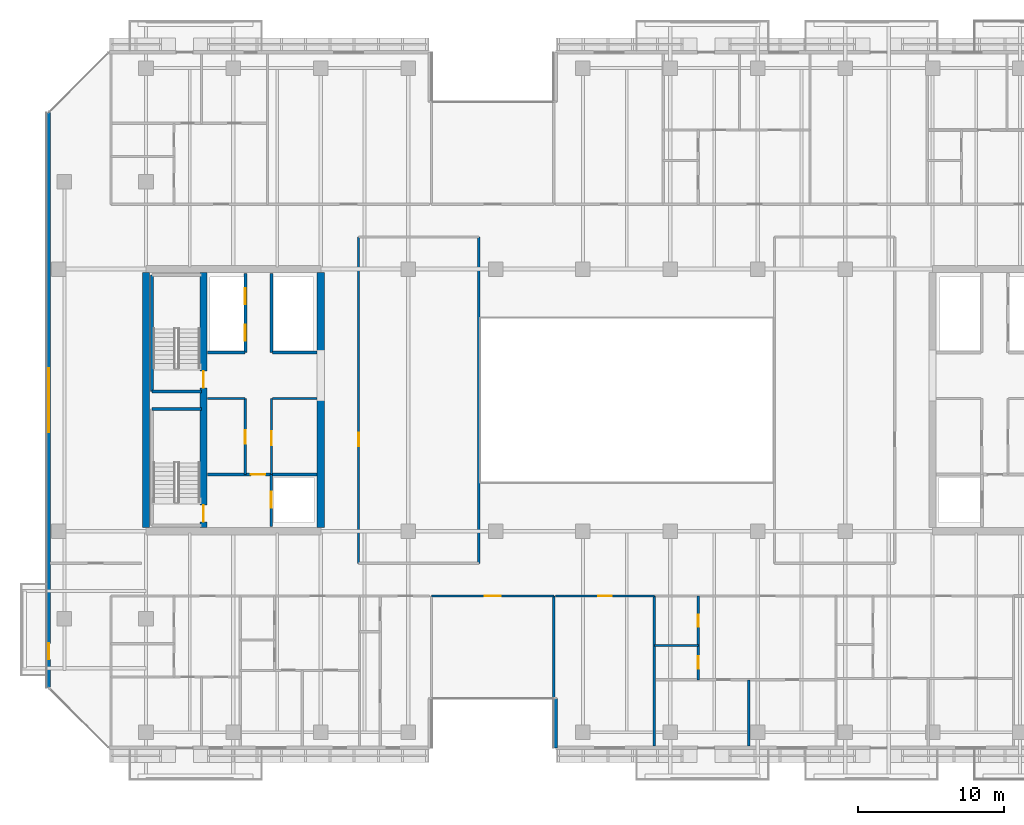
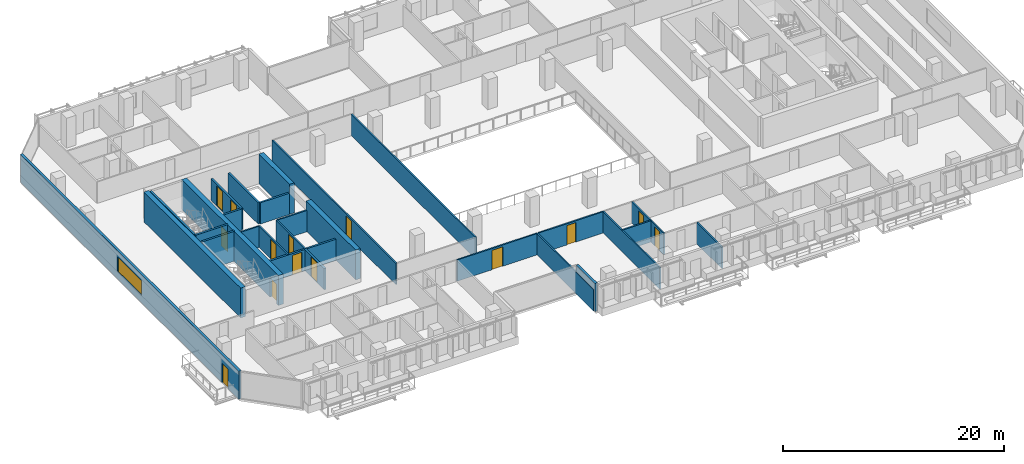
# One storey, part 22 of 33: 28 walls, 14 doors, 1 window, 15 openings.
"""IFC4 building model written with IfcOpenShell, lengths in metres."""

from ifc_helpers import new_model, si_unit, direction, frame, frame_2d, origin, place, context, subcontext, project, spatial, rectangle, extrude, material, layer, layer_set, type_object, element, fill, save


model = new_model("IFC4")

# Units and contexts
model_context = context("Model", 3, precision=1e-05, world=origin(), true_north=direction((0.0, 1.0)))
body_context = subcontext(model_context, "Body", "Model", "MODEL_VIEW")
ifc_project = project(units=[si_unit("LENGTHUNIT", "METRE"), si_unit("AREAUNIT", "SQUARE_METRE"), si_unit("VOLUMEUNIT", "CUBIC_METRE"), si_unit("PLANEANGLEUNIT", "RADIAN"), si_unit("MASSUNIT", "GRAM", prefix="KILO")], contexts=[model_context])

# Site, building, storey
site_placement = place(None, origin())
site = spatial("IfcSite", under=ifc_project, at=site_placement, CompositionType="ELEMENT")
building_placement = place(site_placement, origin())
building = spatial("IfcBuilding", under=site, at=building_placement, Name="Tanjung Sevakor Pilgrim Tower", CompositionType="ELEMENT")
storey_placement = place(building_placement, frame((0.0, 0.0, 95.3701171875)))
storey = spatial("IfcBuildingStorey", under=building, at=storey_placement, Name="L26", CompositionType="ELEMENT", Elevation=95.3701171875)

# Walls
ifc_material_1 = material(Name="Concrete C60/75", Category="concrete")
ifc_layer_1 = layer(ifc_material_1, 0.5)
ifc_layer_set_1 = layer_set([ifc_layer_1], Name="WALL-CW-500")
wall_type_1 = type_object("IfcWallType", Name="WALL-CW-500", PredefinedType="SHEAR", material=ifc_layer_set_1)
wall_1_placement = place(storey_placement, frame((24.0, 24.85009765625, 0.0), z_axis=(0.0, 0.0, 1.0), x_axis=(0.0, 1.0, 0.0)))
element("IfcWall", 1, at=wall_1_placement, inside=storey, type_object=wall_type_1, Name="L26 W Core Outer Shear Wall", PredefinedType="SHEAR", context=body_context, shape_type="SweptSolid", body=[
    extrude(rectangle(XDim=17.5, YDim=0.5, at=frame_2d((8.75, 0.0))), origin(), (0.0, 0.0, 1.0), 3.2998046875),
])
wall_2_placement = place(storey_placement, frame((36.0, 24.85009765625, 0.0), z_axis=(0.0, 0.0, 1.0), x_axis=(0.0, 1.0, 0.0)))
element("IfcWall", 2, at=wall_2_placement, inside=storey, type_object=wall_type_1, Name="L26 W Core Inner Shear Wall South", PredefinedType="SHEAR", context=body_context, shape_type="SweptSolid", body=[
    extrude(rectangle(XDim=8.949951171875, YDim=0.5, at=frame_2d((4.47509765625, 0.0))), origin(), (0.0, 0.0, 1.0), 3.2998046875),
])
wall_3_placement = place(storey_placement, frame((36.0, 36.800048828125, 0.0), z_axis=(0.0, 0.0, 1.0), x_axis=(0.0, 1.0, 0.0)))
element("IfcWall", 3, at=wall_3_placement, inside=storey, type_object=wall_type_1, Name="L26 W Core Inner Shear Wall North", PredefinedType="SHEAR", context=body_context, shape_type="SweptSolid", body=[
    extrude(rectangle(XDim=5.550048828125, YDim=0.5, at=frame_2d((2.77490234375, 0.0))), origin(), (0.0, 0.0, 1.0), 3.2998046875),
])

# Wall, openings, doors
wall_4_placement = place(storey_placement, frame((27.949951171875, 24.85009765625, 0.0), z_axis=(0.0, 0.0, 1.0), x_axis=(0.0, 1.0, 0.0)))
wall_4 = element("IfcWall", 4, at=wall_4_placement, inside=storey, type_object=wall_type_1, Name="L26 W Core Stair Spine Wall", PredefinedType="SHEAR", context=body_context, shape_type="SweptSolid", body=[
    extrude(rectangle(XDim=17.5, YDim=0.5, at=frame_2d((8.75, 0.0))), origin(), (0.0, 0.0, 1.0), 3.2998046875),
])
opening_1_placement = place(wall_4_placement, frame((0.39990234375, 0.0, 0.0)))
opening_1 = element("IfcOpeningElement", 5, at=opening_1_placement, cuts=wall_4, Name="Opening ID-ST1", PredefinedType="OPENING", context=body_context, shape_type="SweptSolid", body=[
    extrude(rectangle(XDim=1.14990234375, YDim=2.14990234375, at=frame_2d((0.574951171875, 1.074951171875))), frame((0.0, 0.260009765625, 0.0), z_axis=(0.0, -1.0, 0.0), x_axis=(1.0, 0.0, 0.0)), (0.0, 0.0, 1.0), 0.52001953125),
])
opening_2_placement = place(wall_4_placement, frame((9.60009765625, 0.0, 0.0)))
opening_2 = element("IfcOpeningElement", 6, at=opening_2_placement, cuts=wall_4, Name="Opening ID-ST1", PredefinedType="OPENING", context=body_context, shape_type="SweptSolid", body=[
    extrude(rectangle(XDim=1.14990234375, YDim=2.14990234375, at=frame_2d((0.574951171875, 1.074951171875))), frame((0.0, 0.260009765625, 0.0), z_axis=(0.0, -1.0, 0.0), x_axis=(1.0, 0.0, 0.0)), (0.0, 0.0, 1.0), 0.52001953125),
])
ifc_material_2 = material(Name="Fire-Rated Steel S355J2", Category="steel")
door_type_1 = type_object("IfcDoorType", Name="DT-FIRE-1150", OperationType="NOTDEFINED", PredefinedType="DOOR", material=ifc_material_2)
door_1_placement = place(opening_1_placement, origin())
door_1 = element("IfcDoor", 7, at=door_1_placement, inside=storey, type_object=door_type_1, Name="L26 TS-W1 Stair Fire Door", OperationType="SINGLE_SWING_LEFT", OverallHeight=2.14990234375, OverallWidth=1.14990234375, PredefinedType="DOOR", context=body_context, shape_type="SweptSolid", body=[
    extrude(rectangle(XDim=1.14990234375, YDim=2.14990234375, at=frame_2d((0.574951171875, 1.074951171875))), frame((0.0, 0.02490234375, 0.0), z_axis=(0.0, -1.0, 0.0), x_axis=(1.0, 0.0, 0.0)), (0.0, 0.0, 1.0), 0.050048828125),
])
fill(opening_1, door_1)
door_2_placement = place(opening_2_placement, origin())
door_2 = element("IfcDoor", 8, at=door_2_placement, inside=storey, type_object=door_type_1, Name="L26 TS-W2 Stair Fire Door", OperationType="SINGLE_SWING_RIGHT", OverallHeight=2.14990234375, OverallWidth=1.14990234375, PredefinedType="DOOR", context=body_context, shape_type="SweptSolid", body=[
    extrude(rectangle(XDim=1.14990234375, YDim=2.14990234375, at=frame_2d((0.574951171875, 1.074951171875))), frame((0.0, 0.02490234375, 0.0), z_axis=(0.0, -1.0, 0.0), x_axis=(1.0, 0.0, 0.0)), (0.0, 0.0, 1.0), 0.050048828125),
])
fill(opening_2, door_2)

# Wall
ifc_material_3 = material(Name="Concrete C40/50", Category="concrete")
ifc_layer_2 = layer(ifc_material_3, 0.14990234375)
ifc_layer_set_2 = layer_set([ifc_layer_2], Name="WT-COMP-150")
wall_type_2 = type_object("IfcWallType", Name="WT-COMP-150", PredefinedType="SOLIDWALL", material=ifc_layer_set_2)
wall_5_placement = place(storey_placement, frame((28.219970703125, 33.719970703125, 0.0), z_axis=(0.0, 0.0, 1.0), x_axis=(1.0, 0.0, 0.0)))
element("IfcWall", 9, at=wall_5_placement, inside=storey, type_object=wall_type_2, Name="L26 Partition IW-L26-003", PredefinedType="SOLIDWALL", context=body_context, shape_type="SweptSolid", body=[
    extrude(rectangle(XDim=2.580078125, YDim=0.14990234375, at=frame_2d((1.2900390625, 0.0))), origin(), (0.0, 0.0, 1.0), 2.35009765625),
])

# Wall, opening, door
wall_6_placement = place(storey_placement, frame((30.820068359375, 28.5, 0.0), z_axis=(0.0, 0.0, 1.0), x_axis=(0.0, 1.0, 0.0)))
wall_6 = element("IfcWall", 10, at=wall_6_placement, inside=storey, type_object=wall_type_2, Name="L26 Partition IW-L26-004", PredefinedType="SOLIDWALL", context=body_context, shape_type="SweptSolid", body=[
    extrude(rectangle(XDim=5.219970703125, YDim=0.14990234375, at=frame_2d((2.60986328125, 0.0))), origin(), (0.0, 0.0, 1.0), 2.35009765625),
])
opening_3_placement = place(wall_6_placement, frame((2.10009765625, 0.0, 0.0)))
opening_3 = element("IfcOpeningElement", 11, at=opening_3_placement, cuts=wall_6, Name="Opening ID-FD2", PredefinedType="OPENING", context=body_context, shape_type="SweptSolid", body=[
    extrude(rectangle(XDim=0.949951171875, YDim=2.14990234375, at=frame_2d((0.47509765625, 1.074951171875))), frame((0.0, 0.0849609375, 0.0), z_axis=(0.0, -1.0, 0.0), x_axis=(1.0, 0.0, 0.0)), (0.0, 0.0, 1.0), 0.169921875),
])
ifc_material_4 = material(Name="Fire-Rated Timber", Category="wood")
door_type_2 = type_object("IfcDoorType", Name="DT-FIRE-950", OperationType="NOTDEFINED", PredefinedType="DOOR", material=ifc_material_4)
door_3_placement = place(opening_3_placement, origin())
door_3 = element("IfcDoor", 12, at=door_3_placement, inside=storey, type_object=door_type_2, Name="L26 Housekeeping Pantry Door", OperationType="SINGLE_SWING_RIGHT", OverallHeight=2.14990234375, OverallWidth=0.949951171875, PredefinedType="DOOR", context=body_context, shape_type="SweptSolid", body=[
    extrude(rectangle(XDim=0.949951171875, YDim=2.14990234375, at=frame_2d((0.47509765625, 1.074951171875))), frame((0.0, 0.02490234375, 0.0), z_axis=(0.0, -1.0, 0.0), x_axis=(1.0, 0.0, 0.0)), (0.0, 0.0, 1.0), 0.050048828125),
])
fill(opening_3, door_3)

# Wall
wall_7_placement = place(storey_placement, frame((32.679931640625, 33.719970703125, 0.0), z_axis=(0.0, 0.0, 1.0), x_axis=(1.0, 0.0, 0.0)))
element("IfcWall", 13, at=wall_7_placement, inside=storey, type_object=wall_type_2, Name="L26 Partition IW-L26-005", PredefinedType="SOLIDWALL", context=body_context, shape_type="SweptSolid", body=[
    extrude(rectangle(XDim=3.050048828125, YDim=0.14990234375, at=frame_2d((1.52490234375, 0.0))), origin(), (0.0, 0.0, 1.0), 2.35009765625),
])

# Wall, opening, door
wall_8_placement = place(storey_placement, frame((32.6201171875, 28.5, 0.0), z_axis=(0.0, 0.0, 1.0), x_axis=(0.0, 1.0, 0.0)))
wall_8 = element("IfcWall", 14, at=wall_8_placement, inside=storey, type_object=wall_type_2, Name="L26 Partition IW-L26-006", PredefinedType="SOLIDWALL", context=body_context, shape_type="SweptSolid", body=[
    extrude(rectangle(XDim=5.219970703125, YDim=0.14990234375, at=frame_2d((2.60986328125, 0.0))), origin(), (0.0, 0.0, 1.0), 2.35009765625),
])
opening_4_placement = place(wall_8_placement, frame((2.0, 0.0, 0.0)))
opening_4 = element("IfcOpeningElement", 15, at=opening_4_placement, cuts=wall_8, Name="Opening ID-FD2", PredefinedType="OPENING", context=body_context, shape_type="SweptSolid", body=[
    extrude(rectangle(XDim=0.949951171875, YDim=2.14990234375, at=frame_2d((0.47509765625, 1.074951171875))), frame((0.0, 0.0849609375, 0.0), z_axis=(0.0, -1.0, 0.0), x_axis=(1.0, 0.0, 0.0)), (0.0, 0.0, 1.0), 0.169921875),
])
door_4_placement = place(opening_4_placement, origin())
door_4 = element("IfcDoor", 16, at=door_4_placement, inside=storey, type_object=door_type_2, Name="L26 Accessible WC Door", OperationType="SINGLE_SWING_LEFT", OverallHeight=2.14990234375, OverallWidth=0.949951171875, PredefinedType="DOOR", context=body_context, shape_type="SweptSolid", body=[
    extrude(rectangle(XDim=0.949951171875, YDim=2.14990234375, at=frame_2d((0.47509765625, 1.074951171875))), frame((0.0, 0.02490234375, 0.0), z_axis=(0.0, -1.0, 0.0), x_axis=(1.0, 0.0, 0.0)), (0.0, 0.0, 1.0), 0.050048828125),
])
fill(opening_4, door_4)

wall_9_placement = place(storey_placement, frame((38.60009765625, 22.39990234375, 0.0), z_axis=(0.0, 0.0, 1.0), x_axis=(0.0, 1.0, 0.0)))
wall_9 = element("IfcWall", 17, at=wall_9_placement, inside=storey, type_object=wall_type_2, Name="L26 Partition IW-L26-023", PredefinedType="SOLIDWALL", context=body_context, shape_type="SweptSolid", body=[
    extrude(rectangle(XDim=22.400146484375, YDim=0.14990234375, at=frame_2d((11.2001953125, 0.0))), origin(), (0.0, 0.0, 1.0), 2.35009765625),
])
opening_5_placement = place(wall_9_placement, frame((8.02490234375, 0.0, 0.0)))
opening_5 = element("IfcOpeningElement", 18, at=opening_5_placement, cuts=wall_9, Name="Opening ID-RM1", PredefinedType="OPENING", context=body_context, shape_type="SweptSolid", body=[
    extrude(rectangle(XDim=0.949951171875, YDim=2.14990234375, at=frame_2d((0.47509765625, 1.074951171875))), frame((0.0, 0.0849609375, 0.0), z_axis=(0.0, -1.0, 0.0), x_axis=(1.0, 0.0, 0.0)), (0.0, 0.0, 1.0), 0.169921875),
])
ifc_material_5 = material(Name="Hardwood Timber", Category="wood")
door_type_3 = type_object("IfcDoorType", Name="DT-INT-950", OperationType="NOTDEFINED", PredefinedType="DOOR", material=ifc_material_5)
door_5_placement = place(opening_5_placement, origin())
door_5 = element("IfcDoor", 19, at=door_5_placement, inside=storey, type_object=door_type_3, Name="L26 Central West Room Door", OperationType="SINGLE_SWING_RIGHT", OverallHeight=2.14990234375, OverallWidth=0.949951171875, PredefinedType="DOOR", context=body_context, shape_type="SweptSolid", body=[
    extrude(rectangle(XDim=0.949951171875, YDim=2.14990234375, at=frame_2d((0.47509765625, 1.074951171875))), frame((0.0, 0.02490234375, 0.0), z_axis=(0.0, -1.0, 0.0), x_axis=(1.0, 0.0, 0.0)), (0.0, 0.0, 1.0), 0.050048828125),
])
fill(opening_5, door_5)

# Wall
wall_10_placement = place(storey_placement, frame((46.85009765625, 22.39990234375, 0.0), z_axis=(0.0, 0.0, 1.0), x_axis=(0.0, 1.0, 0.0)))
element("IfcWall", 20, at=wall_10_placement, inside=storey, type_object=wall_type_2, Name="L26 Partition IW-L26-024", PredefinedType="SOLIDWALL", context=body_context, shape_type="SweptSolid", body=[
    extrude(rectangle(XDim=22.400146484375, YDim=0.14990234375, at=frame_2d((11.2001953125, 0.0))), origin(), (0.0, 0.0, 1.0), 2.35009765625),
])

# Wall, opening, door
wall_11_placement = place(storey_placement, frame((43.60009765625, 20.14990234375, 0.0), z_axis=(0.0, 0.0, 1.0), x_axis=(1.0, 0.0, 0.0)))
wall_11 = element("IfcWall", 21, at=wall_11_placement, inside=storey, type_object=wall_type_2, Name="L26 Partition IW-L26-037", PredefinedType="SOLIDWALL", context=body_context, shape_type="SweptSolid", body=[
    extrude(rectangle(XDim=8.39990234375, YDim=0.14990234375, at=frame_2d((4.199951171875, 0.0))), origin(), (0.0, 0.0, 1.0), 2.35009765625),
])
opening_6_placement = place(wall_11_placement, frame((3.64990234375, 0.0, 0.0)))
opening_6 = element("IfcOpeningElement", 22, at=opening_6_placement, cuts=wall_11, Name="Opening ID-RM2", PredefinedType="OPENING", context=body_context, shape_type="SweptSolid", body=[
    extrude(rectangle(XDim=1.10009765625, YDim=2.14990234375, at=frame_2d((0.550048828125, 1.074951171875))), frame((0.0, 0.0849609375, 0.0), z_axis=(0.0, -1.0, 0.0), x_axis=(1.0, 0.0, 0.0)), (0.0, 0.0, 1.0), 0.169921875),
])
ifc_material_6 = material(Name="Hardwood Timber", Category="wood")
door_type_4 = type_object("IfcDoorType", Name="DT-INT-1100", OperationType="NOTDEFINED", PredefinedType="DOOR", material=ifc_material_6)
door_6_placement = place(opening_6_placement, origin())
door_6 = element("IfcDoor", 23, at=door_6_placement, inside=storey, type_object=door_type_4, Name="L26 South Cleft Observatory Door", OperationType="SINGLE_SWING_RIGHT", OverallHeight=2.14990234375, OverallWidth=1.10009765625, PredefinedType="DOOR", context=body_context, shape_type="SweptSolid", body=[
    extrude(rectangle(XDim=1.10009765625, YDim=2.14990234375, at=frame_2d((0.550048828125, 1.074951171875))), frame((0.0, 0.02490234375, 0.0), z_axis=(0.0, -1.0, 0.0), x_axis=(1.0, 0.0, 0.0)), (0.0, 0.0, 1.0), 0.050048828125),
])
fill(opening_6, door_6)

# Walls
for number, where, z_axis, x_axis, name in (
    (24, (52.0, 9.85009765625, 0.0), (0.0, 0.0, 1.0), (0.0, 1.0, 0.0), "L26 Partition IW-L26-039"),
    (25, (58.895751953125, 9.85009765625, 0.0), (0.0, 0.0, 1.0), (0.0, 1.0, 0.0), "L26 Partition IW-L26-060"),
):
    element("IfcWall", number, at=place(storey_placement, frame(where, z_axis=z_axis, x_axis=x_axis)), inside=storey, type_object=wall_type_2, Name=name, PredefinedType="SOLIDWALL", context=body_context, shape_type="SweptSolid", body=[
        extrude(rectangle(XDim=10.2998046875, YDim=0.14990234375, at=frame_2d((5.14990234375, 0.0))), origin(), (0.0, 0.0, 1.0), 2.35009765625),
    ])

# Wall, opening, door
wall_12_placement = place(storey_placement, frame((52.1201171875, 20.14990234375, 0.0), z_axis=(0.0, 0.0, 1.0), x_axis=(1.0, 0.0, 0.0)))
wall_12 = element("IfcWall", 26, at=wall_12_placement, inside=storey, type_object=wall_type_2, Name="L26 Partition IW-L26-061", PredefinedType="SOLIDWALL", context=body_context, shape_type="SweptSolid", body=[
    extrude(rectangle(XDim=6.775634765625, YDim=0.14990234375, at=frame_2d((3.3876953125, 0.0))), origin(), (0.0, 0.0, 1.0), 2.35009765625),
])
opening_7_placement = place(wall_12_placement, frame((2.912841796875, 0.0, 0.0)))
opening_7 = element("IfcOpeningElement", 27, at=opening_7_placement, cuts=wall_12, Name="Opening ID-FD2", PredefinedType="OPENING", context=body_context, shape_type="SweptSolid", body=[
    extrude(rectangle(XDim=0.949951171875, YDim=2.14990234375, at=frame_2d((0.47509765625, 1.074951171875))), frame((0.0, 0.0849609375, 0.0), z_axis=(0.0, -1.0, 0.0), x_axis=(1.0, 0.0, 0.0)), (0.0, 0.0, 1.0), 0.169921875),
])
door_7_placement = place(opening_7_placement, origin())
door_7 = element("IfcDoor", 28, at=door_7_placement, inside=storey, type_object=door_type_2, Name="Housekeeping Pantry Door", OperationType="SINGLE_SWING_LEFT", OverallHeight=2.14990234375, OverallWidth=0.949951171875, PredefinedType="DOOR", context=body_context, shape_type="SweptSolid", body=[
    extrude(rectangle(XDim=0.949951171875, YDim=2.14990234375, at=frame_2d((0.47509765625, 1.074951171875))), frame((0.0, 0.02490234375, 0.0), z_axis=(0.0, -1.0, 0.0), x_axis=(1.0, 0.0, 0.0)), (0.0, 0.0, 1.0), 0.050048828125),
])
fill(opening_7, door_7)

# Wall
ifc_material_7 = material(Name="Precast concrete C45/55", Category="concrete")
ifc_layer_3 = layer(ifc_material_7, 0.25)
ifc_layer_set_3 = layer_set([ifc_layer_3], Name="WT-EW-STN3")
wall_type_3 = type_object("IfcWallType", Name="WT-EW-STN3", PredefinedType="SOLIDWALL", material=ifc_layer_set_3)
wall_13_placement = place(storey_placement, frame((52.125, 13.125, 0.0), z_axis=(0.0, 0.0, 1.0), x_axis=(0.0, -1.0, 0.0)))
element("IfcWall", 29, at=wall_13_placement, inside=storey, type_object=wall_type_3, Name="L26 MAIN Exterior Wall 4", PredefinedType="SOLIDWALL", context=body_context, shape_type="SweptSolid", body=[
    extrude(rectangle(XDim=3.39990234375, YDim=0.25, at=frame_2d((1.699951171875, 0.0))), origin(), (0.0, 0.0, 1.0), 3.080078125),
])

# Wall, openings, door, window
wall_14_placement = place(storey_placement, frame((17.324951171875, 53.34814453125, 0.0), z_axis=(0.0, 0.0, 1.0), x_axis=(0.0, -1.0, 0.0)))
wall_14 = element("IfcWall", 30, at=wall_14_placement, inside=storey, type_object=wall_type_3, Name="L26 MAIN Exterior Wall 15", PredefinedType="SOLIDWALL", context=body_context, shape_type="SweptSolid", body=[
    extrude(rectangle(XDim=39.496337890625, YDim=0.25, at=frame_2d((19.748046875, 0.0))), origin(), (0.0, 0.0, 1.0), 3.080078125),
])
opening_8_placement = place(wall_14_placement, frame((36.4482421875, 0.0, 0.0)))
opening_8 = element("IfcOpeningElement", 31, at=opening_8_placement, cuts=wall_14, Name="Opening ED-BAL-1100", PredefinedType="OPENING", context=body_context, shape_type="SweptSolid", body=[
    extrude(rectangle(XDim=1.10009765625, YDim=2.14990234375, at=frame_2d((0.550048828125, 1.074951171875))), frame((0.0, 0.135009765625, 0.0), z_axis=(0.0, -1.0, 0.0), x_axis=(1.0, 0.0, 0.0)), (0.0, 0.0, 1.0), 0.27001953125),
])
opening_9_placement = place(wall_14_placement, frame((17.548095703125, 0.0, 0.780029296875)))
opening_9 = element("IfcOpeningElement", 32, at=opening_9_placement, cuts=wall_14, Name="Opening WN-ENDW-1660", PredefinedType="OPENING", context=body_context, shape_type="SweptSolid", body=[
    extrude(rectangle(XDim=4.39990234375, YDim=1.659912109375, at=frame_2d((2.199951171875, 0.830078125))), frame((0.0, 0.135009765625, 0.0), z_axis=(0.0, -1.0, 0.0), x_axis=(1.0, 0.0, 0.0)), (0.0, 0.0, 1.0), 0.27001953125),
])
ifc_material_8 = material(Name="Anodised Aluminium and Laminated Glass", Category="aluminium")
door_type_5 = type_object("IfcDoorType", Name="DTYP-ED-BAL-1100", OperationType="NOTDEFINED", PredefinedType="DOOR", material=ifc_material_8)
door_8_placement = place(opening_8_placement, frame((1.10009765625, 0.0, 0.0), z_axis=(0.0, 0.0, 1.0), x_axis=(-1.0, 0.0, 0.0)))
door_8 = element("IfcDoor", 33, at=door_8_placement, inside=storey, type_object=door_type_5, Name="L26 West Loggia Door MAIN-W1", OperationType="SINGLE_SWING_LEFT", OverallHeight=2.14990234375, OverallWidth=1.10009765625, PredefinedType="DOOR", context=body_context, shape_type="SweptSolid", body=[
    extrude(rectangle(XDim=1.10009765625, YDim=2.14990234375, at=frame_2d((0.550048828125, 1.074951171875))), frame((0.0, 0.02490234375, 0.0), z_axis=(0.0, -1.0, 0.0), x_axis=(1.0, 0.0, 0.0)), (0.0, 0.0, 1.0), 0.050048828125),
])
fill(opening_8, door_8)
ifc_material_9 = material(Name="Thermally Broken Aluminium and Low-E Glass", Category="aluminium")
window_type = type_object("IfcWindowType", Name="WTYP-WN-ENDW-1660", PartitioningType="DOUBLE_PANEL_VERTICAL", PredefinedType="WINDOW", material=ifc_material_9)
window_placement = place(opening_9_placement, origin())
window = element("IfcWindow", 34, at=window_placement, inside=storey, type_object=window_type, Name="L26 Facade Window 01", OverallHeight=1.659912109375, OverallWidth=4.39990234375, PartitioningType="SINGLE_PANEL", PredefinedType="WINDOW", context=body_context, shape_type="SweptSolid", body=[
    extrude(rectangle(XDim=4.39990234375, YDim=1.659912109375, at=frame_2d((2.199951171875, 0.830078125))), frame((0.0, 0.030029296875, 0.0), z_axis=(0.0, -1.0, 0.0), x_axis=(1.0, 0.0, 0.0)), (0.0, 0.0, 1.0), 0.06005859375),
])
fill(opening_9, window)

# Walls
ifc_material_10 = material(Name="Concrete C40/50", Category="concrete")
ifc_layer_4 = layer(ifc_material_10, 0.199951171875)
ifc_layer_set_4 = layer_set([ifc_layer_4], Name="WT-FIRE-200")
wall_type_4 = type_object("IfcWallType", Name="WT-FIRE-200", PredefinedType="SOLIDWALL", material=ifc_layer_set_4)
for number, where, z_axis, x_axis, name in (
    (35, (27.800048828125, 33.0, 0.0), (0.0, 0.0, 1.0), (-1.0, 0.0, 0.0), "L26 TS-W1 Shaft Wall 2"),
    (36, (24.39990234375, 34.199951171875, 0.0), (0.0, 0.0, 1.0), (1.0, 0.0, 0.0), "L26 TS-W2 Shaft Wall 1"),
):
    element("IfcWall", number, at=place(storey_placement, frame(where, z_axis=z_axis, x_axis=x_axis)), inside=storey, type_object=wall_type_4, Name=name, PredefinedType="SOLIDWALL", context=body_context, shape_type="SweptSolid", body=[
        extrude(rectangle(XDim=3.400146484375, YDim=0.199951171875, at=frame_2d((1.7001953125, 0.0))), origin(), (0.0, 0.0, 1.0), 3.2998046875),
    ])
wall_15_placement = place(storey_placement, frame((24.39990234375, 42.199951171875, 0.0), z_axis=(0.0, 0.0, 1.0), x_axis=(0.0, -1.0, 0.0)))
element("IfcWall", 37, at=wall_15_placement, inside=storey, type_object=wall_type_4, Name="L26 TS-W2 Shaft Wall 3", PredefinedType="SOLIDWALL", context=body_context, shape_type="SweptSolid", body=[
    extrude(rectangle(XDim=8.0, YDim=0.199951171875, at=frame_2d((4.0, 0.0))), origin(), (0.0, 0.0, 1.0), 3.2998046875),
])

# Wall, opening, door
ifc_material_11 = material(Name="Concrete C40/50", Category="concrete")
ifc_layer_5 = layer(ifc_material_11, 0.199951171875)
ifc_layer_set_5 = layer_set([ifc_layer_5], Name="WT-FPRT-200")
wall_type_5 = type_object("IfcWallType", Name="WT-FPRT-200", PredefinedType="SOLIDWALL", material=ifc_layer_set_5)
wall_16_placement = place(storey_placement, frame((32.60009765625, 24.919921875, 0.0), z_axis=(0.0, 0.0, 1.0), x_axis=(0.0, 1.0, 0.0)))
wall_16 = element("IfcWall", 38, at=wall_16_placement, inside=storey, type_object=wall_type_5, Name="L26 Partition IW-L26-001", PredefinedType="SOLIDWALL", context=body_context, shape_type="SweptSolid", body=[
    extrude(rectangle(XDim=3.580078125, YDim=0.199951171875, at=frame_2d((1.7900390625, 0.0))), origin(), (0.0, 0.0, 1.0), 2.35009765625),
])
opening_10_placement = place(wall_16_placement, frame((1.300048828125, 0.0, 0.0)))
opening_10 = element("IfcOpeningElement", 39, at=opening_10_placement, cuts=wall_16, Name="Opening LD-1100", PredefinedType="OPENING", context=body_context, shape_type="SweptSolid", body=[
    extrude(rectangle(XDim=1.10009765625, YDim=2.199951171875, at=frame_2d((0.550048828125, 1.10009765625))), frame((0.0, 0.10986328125, 0.0), z_axis=(0.0, -1.0, 0.0), x_axis=(1.0, 0.0, 0.0)), (0.0, 0.0, 1.0), 0.219970703125),
])
ifc_material_12 = material(Name="Brushed Stainless Steel S355J2", Category="steel")
door_type_6 = type_object("IfcDoorType", Name="DT-LIFT-1100", OperationType="SLIDING_TO_LEFT", PredefinedType="DOOR", material=ifc_material_12)
door_9_placement = place(opening_10_placement, origin())
door_9 = element("IfcDoor", 40, at=door_9_placement, inside=storey, type_object=door_type_6, Name="LD-FL-W", OperationType="SLIDING_TO_LEFT", OverallHeight=2.199951171875, OverallWidth=1.10009765625, PredefinedType="DOOR", context=body_context, shape_type="SweptSolid", body=[
    extrude(rectangle(XDim=1.10009765625, YDim=2.199951171875, at=frame_2d((0.550048828125, 1.10009765625))), frame((0.0, 0.02490234375, 0.0), z_axis=(0.0, -1.0, 0.0), x_axis=(1.0, 0.0, 0.0)), (0.0, 0.0, 1.0), 0.050048828125),
])
fill(opening_10, door_9)

wall_17_placement = place(storey_placement, frame((28.219970703125, 28.5, 0.0), z_axis=(0.0, 0.0, 1.0), x_axis=(1.0, 0.0, 0.0)))
wall_17 = element("IfcWall", 41, at=wall_17_placement, inside=storey, type_object=wall_type_5, Name="L26 Partition IW-L26-002", PredefinedType="SOLIDWALL", context=body_context, shape_type="SweptSolid", body=[
    extrude(rectangle(XDim=7.510009765625, YDim=0.199951171875, at=frame_2d((3.7548828125, 0.0))), origin(), (0.0, 0.0, 1.0), 2.35009765625),
])
opening_11_placement = place(wall_17_placement, frame((2.97998046875, 0.0, 0.0)))
opening_11 = element("IfcOpeningElement", 42, at=opening_11_placement, cuts=wall_17, Name="Opening ID-FD1", PredefinedType="OPENING", context=body_context, shape_type="SweptSolid", body=[
    extrude(rectangle(XDim=1.0, YDim=2.14990234375, at=frame_2d((0.5, 1.074951171875))), frame((0.0, 0.10986328125, 0.0), z_axis=(0.0, -1.0, 0.0), x_axis=(1.0, 0.0, 0.0)), (0.0, 0.0, 1.0), 0.219970703125),
])
ifc_material_13 = material(Name="Fire-Rated Steel S355J2", Category="steel")
door_type_7 = type_object("IfcDoorType", Name="DT-FIRE-1000", OperationType="NOTDEFINED", PredefinedType="DOOR", material=ifc_material_13)
door_10_placement = place(opening_11_placement, origin())
door_10 = element("IfcDoor", 43, at=door_10_placement, inside=storey, type_object=door_type_7, Name="Fire Lobby Door W", OperationType="SINGLE_SWING_LEFT", OverallHeight=2.14990234375, OverallWidth=1.0, PredefinedType="DOOR", context=body_context, shape_type="SweptSolid", body=[
    extrude(rectangle(XDim=1.0, YDim=2.14990234375, at=frame_2d((0.5, 1.074951171875))), frame((0.0, 0.02490234375, 0.0), z_axis=(0.0, -1.0, 0.0), x_axis=(1.0, 0.0, 0.0)), (0.0, 0.0, 1.0), 0.050048828125),
])
fill(opening_11, door_10)

# Wall
wall_18_placement = place(storey_placement, frame((28.219970703125, 36.8798828125, 0.0), z_axis=(0.0, 0.0, 1.0), x_axis=(1.0, 0.0, 0.0)))
element("IfcWall", 44, at=wall_18_placement, inside=storey, type_object=wall_type_5, Name="L26 Partition IW-L26-007", PredefinedType="SOLIDWALL", context=body_context, shape_type="SweptSolid", body=[
    extrude(rectangle(XDim=2.580078125, YDim=0.199951171875, at=frame_2d((1.2900390625, 0.0))), origin(), (0.0, 0.0, 1.0), 2.35009765625),
])

# Wall, openings, doors
wall_19_placement = place(storey_placement, frame((30.820068359375, 36.8798828125, 0.0), z_axis=(0.0, 0.0, 1.0), x_axis=(0.0, 1.0, 0.0)))
wall_19 = element("IfcWall", 45, at=wall_19_placement, inside=storey, type_object=wall_type_5, Name="L26 Partition IW-L26-008", PredefinedType="SOLIDWALL", context=body_context, shape_type="SweptSolid", body=[
    extrude(rectangle(XDim=5.420166015625, YDim=0.199951171875, at=frame_2d((2.7099609375, 0.0))), origin(), (0.0, 0.0, 1.0), 2.35009765625),
])
opening_12_placement = place(wall_19_placement, frame((0.800048828125, 0.0, 0.0)))
opening_12 = element("IfcOpeningElement", 46, at=opening_12_placement, cuts=wall_19, Name="Opening LD-1100", PredefinedType="OPENING", context=body_context, shape_type="SweptSolid", body=[
    extrude(rectangle(XDim=1.10009765625, YDim=2.199951171875, at=frame_2d((0.550048828125, 1.10009765625))), frame((0.0, 0.10986328125, 0.0), z_axis=(0.0, -1.0, 0.0), x_axis=(1.0, 0.0, 0.0)), (0.0, 0.0, 1.0), 0.219970703125),
])
opening_13_placement = place(wall_19_placement, frame((3.300048828125, 0.0, 0.0)))
opening_13 = element("IfcOpeningElement", 47, at=opening_13_placement, cuts=wall_19, Name="Opening LD-1100", PredefinedType="OPENING", context=body_context, shape_type="SweptSolid", body=[
    extrude(rectangle(XDim=1.10009765625, YDim=2.199951171875, at=frame_2d((0.550048828125, 1.10009765625))), frame((0.0, 0.10986328125, 0.0), z_axis=(0.0, -1.0, 0.0), x_axis=(1.0, 0.0, 0.0)), (0.0, 0.0, 1.0), 0.219970703125),
])
door_11_placement = place(opening_12_placement, origin())
door_11 = element("IfcDoor", 48, at=door_11_placement, inside=storey, type_object=door_type_6, Name="LD-PLM1-W", OperationType="SLIDING_TO_LEFT", OverallHeight=2.199951171875, OverallWidth=1.10009765625, PredefinedType="DOOR", context=body_context, shape_type="SweptSolid", body=[
    extrude(rectangle(XDim=1.10009765625, YDim=2.199951171875, at=frame_2d((0.550048828125, 1.10009765625))), frame((0.0, 0.02490234375, 0.0), z_axis=(0.0, -1.0, 0.0), x_axis=(1.0, 0.0, 0.0)), (0.0, 0.0, 1.0), 0.050048828125),
])
fill(opening_12, door_11)
door_12_placement = place(opening_13_placement, origin())
door_12 = element("IfcDoor", 49, at=door_12_placement, inside=storey, type_object=door_type_6, Name="LD-PLM2-W", OperationType="SLIDING_TO_RIGHT", OverallHeight=2.199951171875, OverallWidth=1.10009765625, PredefinedType="DOOR", context=body_context, shape_type="SweptSolid", body=[
    extrude(rectangle(XDim=1.10009765625, YDim=2.199951171875, at=frame_2d((0.550048828125, 1.10009765625))), frame((0.0, 0.02490234375, 0.0), z_axis=(0.0, -1.0, 0.0), x_axis=(1.0, 0.0, 0.0)), (0.0, 0.0, 1.0), 0.050048828125),
])
fill(opening_13, door_12)

# Walls
wall_20_placement = place(storey_placement, frame((32.679931640625, 36.8798828125, 0.0), z_axis=(0.0, 0.0, 1.0), x_axis=(1.0, 0.0, 0.0)))
element("IfcWall", 50, at=wall_20_placement, inside=storey, type_object=wall_type_5, Name="L26 Partition IW-L26-009", PredefinedType="SOLIDWALL", context=body_context, shape_type="SweptSolid", body=[
    extrude(rectangle(XDim=3.050048828125, YDim=0.199951171875, at=frame_2d((1.52490234375, 0.0))), origin(), (0.0, 0.0, 1.0), 2.35009765625),
])
wall_21_placement = place(storey_placement, frame((32.6201171875, 36.8798828125, 0.0), z_axis=(0.0, 0.0, 1.0), x_axis=(0.0, 1.0, 0.0)))
element("IfcWall", 51, at=wall_21_placement, inside=storey, type_object=wall_type_5, Name="L26 Partition IW-L26-010", PredefinedType="SOLIDWALL", context=body_context, shape_type="SweptSolid", body=[
    extrude(rectangle(XDim=5.420166015625, YDim=0.199951171875, at=frame_2d((2.7099609375, 0.0))), origin(), (0.0, 0.0, 1.0), 2.35009765625),
])
ifc_material_14 = material(Name="Gypsum Board Partition", Category="gypsum board")
ifc_layer_6 = layer(ifc_material_14, 0.14990234375)
ifc_layer_set_6 = layer_set([ifc_layer_6], Name="WT-PART-150")
wall_type_6 = type_object("IfcWallType", Name="WT-PART-150", PredefinedType="PARTITIONING", material=ifc_layer_set_6)
wall_22_placement = place(storey_placement, frame((58.895751953125, 16.7578125, 0.0), z_axis=(0.0, 0.0, 1.0), x_axis=(1.0, 0.0, 0.0)))
element("IfcWall", 52, at=wall_22_placement, inside=storey, type_object=wall_type_6, Name="L26 Partition IW-L26-063", PredefinedType="PARTITIONING", context=body_context, shape_type="SweptSolid", body=[
    extrude(rectangle(XDim=3.024169921875, YDim=0.14990234375, at=frame_2d((1.51220703125, 0.0))), origin(), (0.0, 0.0, 1.0), 2.35009765625),
])

# Wall, openings, doors
wall_23_placement = place(storey_placement, frame((61.919921875, 14.400390625, 0.0), z_axis=(0.0, 0.0, 1.0), x_axis=(0.0, 1.0, 0.0)))
wall_23 = element("IfcWall", 53, at=wall_23_placement, inside=storey, type_object=wall_type_6, Name="L26 Partition IW-L26-064", PredefinedType="PARTITIONING", context=body_context, shape_type="SweptSolid", body=[
    extrude(rectangle(XDim=5.74951171875, YDim=0.14990234375, at=frame_2d((2.874755859375, 0.0))), origin(), (0.0, 0.0, 1.0), 2.35009765625),
])
opening_14_placement = place(wall_23_placement, frame((0.753662109375, 0.0, 0.0)))
opening_14 = element("IfcOpeningElement", 54, at=opening_14_placement, cuts=wall_23, Name="Opening ID-WC1", PredefinedType="OPENING", context=body_context, shape_type="SweptSolid", body=[
    extrude(rectangle(XDim=0.85009765625, YDim=2.10009765625, at=frame_2d((0.425048828125, 1.050048828125))), frame((0.0, 0.0849609375, 0.0), z_axis=(0.0, -1.0, 0.0), x_axis=(1.0, 0.0, 0.0)), (0.0, 0.0, 1.0), 0.169921875),
])
opening_15_placement = place(wall_23_placement, frame((3.62841796875, 0.0, 0.0)))
opening_15 = element("IfcOpeningElement", 55, at=opening_15_placement, cuts=wall_23, Name="Opening ID-WC1", PredefinedType="OPENING", context=body_context, shape_type="SweptSolid", body=[
    extrude(rectangle(XDim=0.85009765625, YDim=2.10009765625, at=frame_2d((0.425048828125, 1.050048828125))), frame((0.0, 0.0849609375, 0.0), z_axis=(0.0, -1.0, 0.0), x_axis=(1.0, 0.0, 0.0)), (0.0, 0.0, 1.0), 0.169921875),
])
ifc_material_15 = material(Name="Moisture-Resistant Timber", Category="wood")
door_type_8 = type_object("IfcDoorType", Name="DT-INT-850", OperationType="NOTDEFINED", PredefinedType="DOOR", material=ifc_material_15)
door_13_placement = place(opening_14_placement, origin())
door_13 = element("IfcDoor", 56, at=door_13_placement, inside=storey, type_object=door_type_8, Name="Suite Bathroom Door", OperationType="SINGLE_SWING_RIGHT", OverallHeight=2.10009765625, OverallWidth=0.85009765625, PredefinedType="DOOR", context=body_context, shape_type="SweptSolid", body=[
    extrude(rectangle(XDim=0.85009765625, YDim=2.10009765625, at=frame_2d((0.425048828125, 1.050048828125))), frame((0.0, 0.02490234375, 0.0), z_axis=(0.0, -1.0, 0.0), x_axis=(1.0, 0.0, 0.0)), (0.0, 0.0, 1.0), 0.050048828125),
])
fill(opening_14, door_13)
door_14_placement = place(opening_15_placement, origin())
door_14 = element("IfcDoor", 57, at=door_14_placement, inside=storey, type_object=door_type_8, Name="Suite Kitchenette Door", OperationType="SINGLE_SWING_LEFT", OverallHeight=2.10009765625, OverallWidth=0.85009765625, PredefinedType="DOOR", context=body_context, shape_type="SweptSolid", body=[
    extrude(rectangle(XDim=0.85009765625, YDim=2.10009765625, at=frame_2d((0.425048828125, 1.050048828125))), frame((0.0, 0.02490234375, 0.0), z_axis=(0.0, -1.0, 0.0), x_axis=(1.0, 0.0, 0.0)), (0.0, 0.0, 1.0), 0.050048828125),
])
fill(opening_15, door_14)

# Wall
wall_24_placement = place(storey_placement, frame((65.37890625, 9.85009765625, 0.0), z_axis=(0.0, 0.0, 1.0), x_axis=(0.0, 1.0, 0.0)))
element("IfcWall", 58, at=wall_24_placement, inside=storey, type_object=wall_type_6, Name="L26 Partition IW-L26-065", PredefinedType="PARTITIONING", context=body_context, shape_type="SweptSolid", body=[
    extrude(rectangle(XDim=4.55029296875, YDim=0.14990234375, at=frame_2d((2.275146484375, 0.0))), origin(), (0.0, 0.0, 1.0), 2.35009765625),
])

save(model, "model.ifc")
